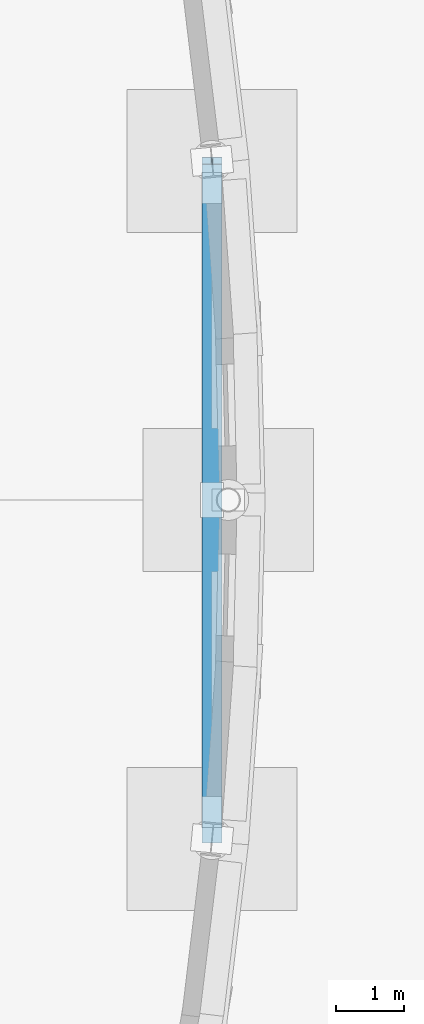
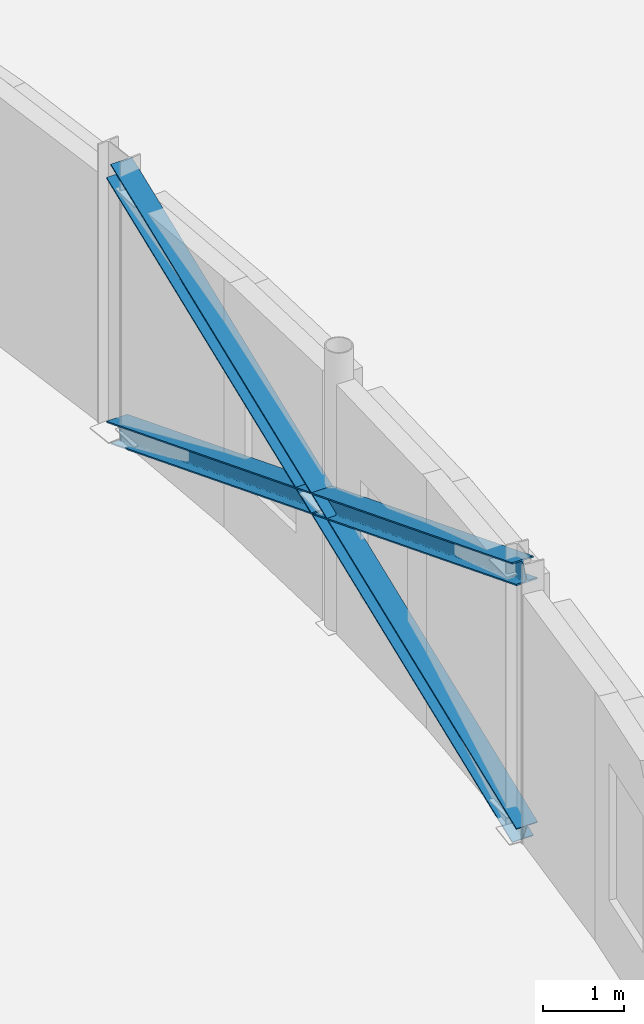
# One storey, part 39 of 88: 3 members.
"""IFC4 building model written with IfcOpenShell, lengths in metres."""

from ifc_helpers import new_model, si_unit, direction, frame, origin, origin_2d, place, context, subcontext, project, spatial, i_section, extrude, material, material_profile, profile_set, type_object, element, save


model = new_model("IFC4")

# Units and contexts
model_context = context("Model", 3, precision=1e-05, world=origin(), true_north=direction((0.0, 1.0)))
body_context = subcontext(model_context, "Body", "Model", "MODEL_VIEW")
ifc_project = project(units=[si_unit("LENGTHUNIT", "METRE"), si_unit("AREAUNIT", "SQUARE_METRE"), si_unit("VOLUMEUNIT", "CUBIC_METRE"), si_unit("PLANEANGLEUNIT", "RADIAN"), si_unit("MASSUNIT", "GRAM", prefix="KILO")], contexts=[model_context])

# Site, building, storey
site_placement = place(None, origin())
site = spatial("IfcSite", under=ifc_project, at=site_placement, CompositionType="ELEMENT")
building_placement = place(site_placement, origin())
building = spatial("IfcBuilding", under=site, at=building_placement, Name="Vanh Quang Courtyard School", CompositionType="ELEMENT")
storey_placement = place(building_placement, origin())
storey = spatial("IfcBuildingStorey", under=building, at=storey_placement, Name="L00", CompositionType="ELEMENT", Elevation=0.0)

# Members
ifc_material = material(Name="Structural steel EN 10025-2 S355J2", Category="steel")
ifc_material_profile = material_profile(ifc_material, i_section(OverallWidth=0.300048828125, OverallDepth=0.300048828125, WebThickness=0.010986328125, FlangeThickness=0.01904296875, FilletRadius=0.027099609375, at=origin_2d()), Name="HEB 300")
ifc_profile_set = profile_set([ifc_material_profile], Name="Structural steel EN 10025-2 S355J2")
member_type = type_object("IfcMemberType", Name="MEM-BRC-HEB300", PredefinedType="BRACE", material=ifc_profile_set)
member_placement = place(storey_placement, frame((163.760498046875, 51.01611328125, 0.0), z_axis=(0.0, 0.930623993294, 0.365976752139), x_axis=(-1.0, 0.0, 0.0)))
element("IfcMember", 1, at=member_placement, inside=storey, type_object=member_type, Name="Structural Member MB-09 (L00)", PredefinedType="BRACE", context=body_context, shape_type="SweptSolid", body=[
    extrude(i_section(OverallWidth=0.300048828125, OverallDepth=0.300048828125, WebThickness=0.010986328125, FlangeThickness=0.01904296875, FilletRadius=0.027099609375, at=origin_2d()), origin(), (0.0, 0.0, 1.0), 10.7109375),
])
for number, where, z_axis, x_axis, name in (
    (2, (163.760498046875, 60.98388671875, 0.0), (0.0, -0.930623993294, 0.365976752139), (1.0, 0.0, 0.0), "Structural Member MB-09 (L00)"),
    (3, (163.760498046875, 56.0, 1.9599609375), (0.0, -0.930623993294, 0.365976752139), (1.0, 0.0, 0.0), "Structural Member MB-09 (L00)"),
):
    element("IfcMember", number, at=place(storey_placement, frame(where, z_axis=z_axis, x_axis=x_axis)), inside=storey, type_object=member_type, Name=name, PredefinedType="BRACE", context=body_context, shape_type="SweptSolid", body=[
        extrude(i_section(OverallWidth=0.300048828125, OverallDepth=0.300048828125, WebThickness=0.010986328125, FlangeThickness=0.01904296875, FilletRadius=0.027099609375, at=origin_2d()), origin(), (0.0, 0.0, 1.0), 5.35546875),
    ])

save(model, "model.ifc")
